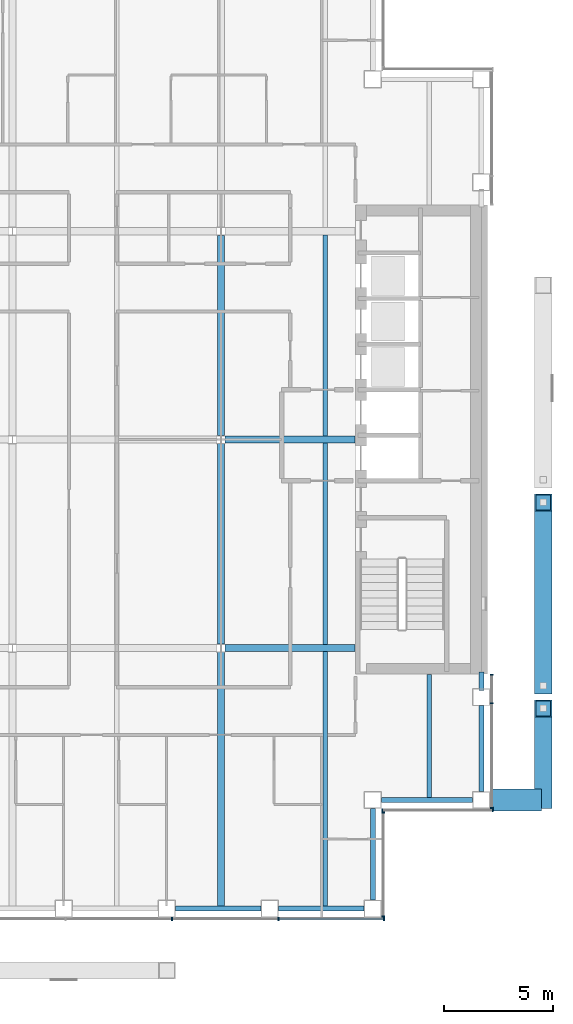
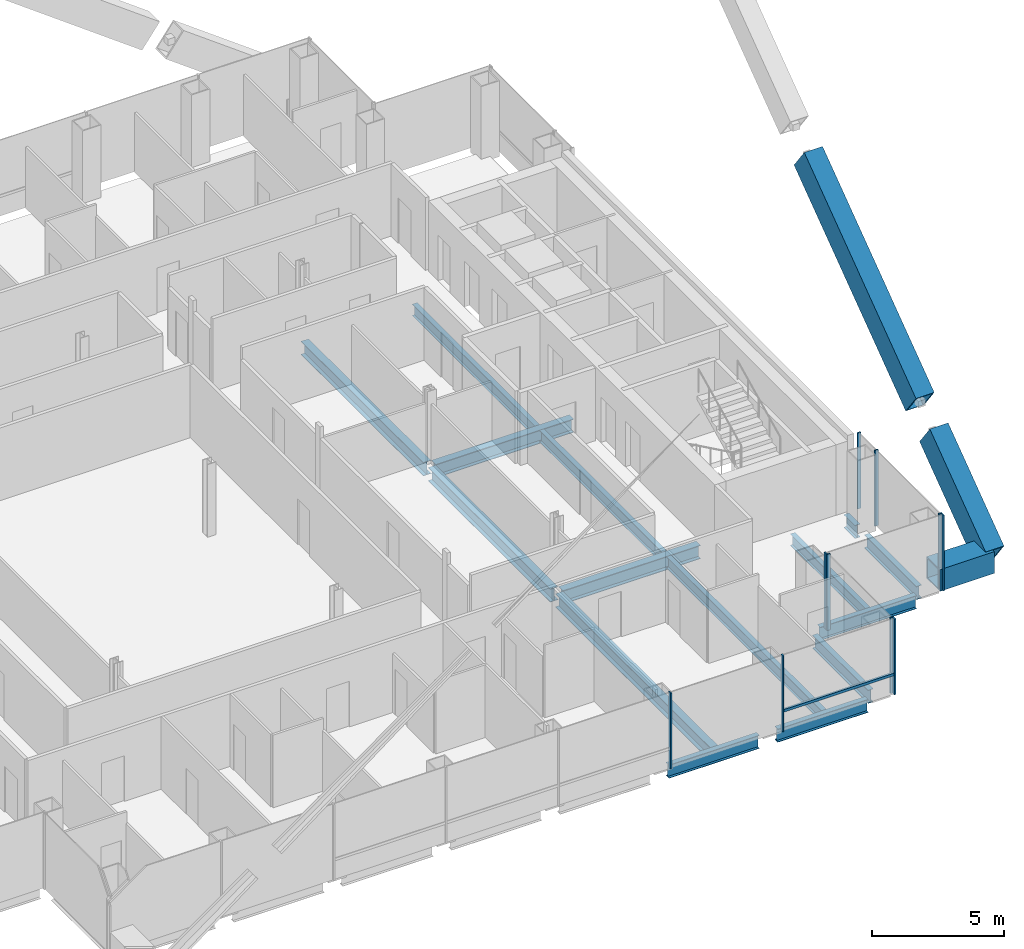
# One storey, part 6 of 18: 16 beams, 13 members, 4 elements without a shape of their own.
"""IFC4 building model written with IfcOpenShell, lengths in metres."""

from ifc_helpers import new_model, si_unit, direction, frame, origin, origin_2d, place, context, subcontext, project, spatial, rectangle, hollow_rectangle, i_section, extrude, material, material_profile, profile_set, type_object, element, aggregate, save


model = new_model("IFC4")

# Units and contexts
model_context = context("Model", 3, precision=1e-05, world=origin(), true_north=direction((0.0, 1.0)))
body_context = subcontext(model_context, "Body", "Model", "MODEL_VIEW")
ifc_project = project(units=[si_unit("LENGTHUNIT", "METRE"), si_unit("AREAUNIT", "SQUARE_METRE"), si_unit("VOLUMEUNIT", "CUBIC_METRE"), si_unit("PLANEANGLEUNIT", "RADIAN"), si_unit("MASSUNIT", "GRAM", prefix="KILO")], contexts=[model_context])

# Site, building, storey
site_placement = place(None, origin())
site = spatial("IfcSite", under=ifc_project, at=site_placement, CompositionType="ELEMENT")
building_placement = place(site_placement, origin())
building = spatial("IfcBuilding", under=site, at=building_placement, Name="Cobrizo Arcos Hotel Tower", CompositionType="ELEMENT")
storey_placement = place(building_placement, frame((0.0, 0.0, 158.5)))
storey = spatial("IfcBuildingStorey", under=building, at=storey_placement, Name="L40", CompositionType="ELEMENT", Elevation=158.5)

# Beam
ifc_material_1 = material(Name="Steel ASTM A572 Grade 50", Category="steel")
ifc_material_profile_1 = material_profile(ifc_material_1, hollow_rectangle(XDim=1.0, YDim=1.0, WallThickness=0.06005859375, at=origin_2d()), Name="BOX 1000X1000X60")
ifc_profile_set_1 = profile_set([ifc_material_profile_1], Name="Steel ASTM A572 Grade 50")
beam_type_1 = type_object("IfcBeamType", Name="BOX 1000X1000X60 brace connector strut", PredefinedType="BEAM", material=ifc_profile_set_1)
beam_1_placement = place(storey_placement, frame((21.989990234375, -16.60009765625, 0.5), z_axis=(1.0, 0.0, 0.0), x_axis=(0.0, 1.0, 0.0)))
element("IfcBeam", 1, at=beam_1_placement, inside=storey, type_object=beam_type_1, Name="Perimeter brace stub BS1, zone Z3, east face, offset -16.60 m, L40", PredefinedType="BEAM", context=body_context, shape_type="SweptSolid", body=[
    extrude(hollow_rectangle(XDim=1.0, YDim=1.0, WallThickness=0.06005859375, at=origin_2d()), origin(), (0.0, 0.0, 1.0), 2.380126953125),
])

# Members
ifc_material_profile_2 = material_profile(ifc_material_1, hollow_rectangle(XDim=0.800048828125, YDim=1.300048828125, WallThickness=0.06005859375, at=origin_2d()), Name="BOX 800X1300X60")
ifc_profile_set_2 = profile_set([ifc_material_profile_2], Name="Steel ASTM A572 Grade 50")
member_type_1 = type_object("IfcMemberType", Name="BOX 800X1300X60 perimeter brace", PredefinedType="BRACE", material=ifc_profile_set_2)
member_1_placement = place(storey_placement, frame((24.449951171875, -16.60009765625, 0.5), z_axis=(0.0, 0.804623858684, 0.593784848271), x_axis=(-1.0, 0.0, 0.0)))
element("IfcMember", 2, at=member_1_placement, inside=storey, type_object=member_type_1, Name="Perimeter brace PBR3, zone Z3, east face, no. 08", PredefinedType="BRACE", context=body_context, shape_type="SweptSolid", body=[
    extrude(hollow_rectangle(XDim=0.800048828125, YDim=1.300048828125, WallThickness=0.06005859375, at=origin_2d()), origin(), (0.0, 0.0, 1.0), 5.244384765625),
])
member_2_placement = place(storey_placement, frame((24.449951171875, -11.333984375, 4.385986328125), z_axis=(0.0, 0.804623858684, 0.593784848271), x_axis=(-1.0, 0.0, 0.0)))
element("IfcMember", 3, at=member_2_placement, inside=storey, type_object=member_type_1, Name="Perimeter brace PBR3, zone Z3, east face, no. 08b", PredefinedType="BRACE", context=body_context, shape_type="SweptSolid", body=[
    extrude(hollow_rectangle(XDim=0.800048828125, YDim=1.300048828125, WallThickness=0.06005859375, at=origin_2d()), origin(), (0.0, 0.0, 1.0), 10.48876953125),
])

# Curtain wall, members
ifc_material_2 = material(Name="Aluminium 6063-T6 anodised bronze", Category="aluminium")
curtain_wall_type = type_object("IfcCurtainWallType", Name="CW-A guest facade", PredefinedType="NOTDEFINED", material=ifc_material_2)
curtain_wall_1_placement = place(storey_placement, origin())
curtain_wall_1 = element("IfcCurtainWall", 4, at=curtain_wall_1_placement, inside=storey, type_object=curtain_wall_type, Name="CW-A L40 S face", PredefinedType="NOTDEFINED")
ifc_material_profile_3 = material_profile(ifc_material_2, rectangle(XDim=0.14990234375, YDim=0.06005859375, at=origin_2d()), Name="CW-A mullion 150x60")
ifc_profile_set_3 = profile_set([ifc_material_profile_3], Name="Aluminium 6063-T6 anodised bronze")
member_type_2 = type_object("IfcMemberType", Name="CW-A mullion 150x60", PredefinedType="MULLION", material=ifc_profile_set_3)
member_3_placement = place(storey_placement, frame((7.35009765625, -22.074951171875, 0.0), z_axis=(0.0, 0.0, 1.0), x_axis=(0.0, -1.0, 0.0)))
member_3 = element("IfcMember", 5, at=member_3_placement, type_object=member_type_2, Name="CW-A mullion 6", PredefinedType="MULLION", context=body_context, shape_type="SweptSolid", body=[
    extrude(rectangle(XDim=0.14990234375, YDim=0.06005859375, at=origin_2d()), origin(), (0.0, 0.0, 1.0), 3.5),
])
member_4_placement = place(storey_placement, frame((12.25, -22.074951171875, 0.0), z_axis=(0.0, 0.0, 1.0), x_axis=(0.0, -1.0, 0.0)))
member_4 = element("IfcMember", 6, at=member_4_placement, type_object=member_type_2, Name="CW-A mullion 7", PredefinedType="MULLION", context=body_context, shape_type="SweptSolid", body=[
    extrude(rectangle(XDim=0.14990234375, YDim=0.06005859375, at=origin_2d()), origin(), (0.0, 0.0, 1.0), 3.5),
])
member_5_placement = place(storey_placement, frame((17.1201171875, -22.074951171875, 0.0), z_axis=(0.0, 0.0, 1.0), x_axis=(0.0, -1.0, 0.0)))
member_5 = element("IfcMember", 7, at=member_5_placement, type_object=member_type_2, Name="CW-A mullion 8", PredefinedType="MULLION", context=body_context, shape_type="SweptSolid", body=[
    extrude(rectangle(XDim=0.14990234375, YDim=0.06005859375, at=origin_2d()), origin(), (0.0, 0.0, 1.0), 3.5),
])

curtain_wall_2_placement = place(storey_placement, origin())
curtain_wall_2 = element("IfcCurtainWall", 8, at=curtain_wall_2_placement, inside=storey, type_object=curtain_wall_type, Name="CW-A L40 E face", PredefinedType="NOTDEFINED")
member_6_placement = place(storey_placement, frame((17.074951171875, -21.969970703125, 0.0), z_axis=(0.0, 0.0, 1.0), x_axis=(1.0, 0.0, 0.0)))
member_6 = element("IfcMember", 9, at=member_6_placement, type_object=member_type_2, Name="CW-A mullion 1", PredefinedType="MULLION", context=body_context, shape_type="SweptSolid", body=[
    extrude(rectangle(XDim=0.14990234375, YDim=0.06005859375, at=origin_2d()), origin(), (0.0, 0.0, 1.0), 3.5),
])
member_7_placement = place(storey_placement, frame((17.074951171875, -17.179931640625, 0.0), z_axis=(0.0, 0.0, 1.0), x_axis=(1.0, 0.0, 0.0)))
member_7 = element("IfcMember", 10, at=member_7_placement, type_object=member_type_2, Name="CW-A mullion 2", PredefinedType="MULLION", context=body_context, shape_type="SweptSolid", body=[
    extrude(rectangle(XDim=0.14990234375, YDim=0.06005859375, at=origin_2d()), origin(), (0.0, 0.0, 1.0), 3.5),
])
aggregate(curtain_wall_2, [member_6, member_7])

curtain_wall_3_placement = place(storey_placement, origin())
curtain_wall_3 = element("IfcCurtainWall", 11, at=curtain_wall_3_placement, inside=storey, type_object=curtain_wall_type, Name="CW-A L40 S face", PredefinedType="NOTDEFINED")
member_8_placement = place(storey_placement, frame((17.030029296875, -17.074951171875, 0.0), z_axis=(0.0, 0.0, 1.0), x_axis=(0.0, -1.0, 0.0)))
member_8 = element("IfcMember", 12, at=member_8_placement, type_object=member_type_2, Name="CW-A mullion 1", PredefinedType="MULLION", context=body_context, shape_type="SweptSolid", body=[
    extrude(rectangle(XDim=0.14990234375, YDim=0.06005859375, at=origin_2d()), origin(), (0.0, 0.0, 1.0), 3.5),
])
member_9_placement = place(storey_placement, frame((22.1201171875, -17.074951171875, 0.0), z_axis=(0.0, 0.0, 1.0), x_axis=(0.0, -1.0, 0.0)))
member_9 = element("IfcMember", 13, at=member_9_placement, type_object=member_type_2, Name="CW-A mullion 2", PredefinedType="MULLION", context=body_context, shape_type="SweptSolid", body=[
    extrude(rectangle(XDim=0.14990234375, YDim=0.06005859375, at=origin_2d()), origin(), (0.0, 0.0, 1.0), 3.5),
])
aggregate(curtain_wall_3, [member_8, member_9])

curtain_wall_4_placement = place(storey_placement, origin())
curtain_wall_4 = element("IfcCurtainWall", 14, at=curtain_wall_4_placement, inside=storey, type_object=curtain_wall_type, Name="CW-A L40 E face", PredefinedType="NOTDEFINED")
member_10_placement = place(storey_placement, frame((22.074951171875, -16.969970703125, 0.0), z_axis=(0.0, 0.0, 1.0), x_axis=(1.0, 0.0, 0.0)))
member_10 = element("IfcMember", 15, at=member_10_placement, type_object=member_type_2, Name="CW-A mullion 1", PredefinedType="MULLION", context=body_context, shape_type="SweptSolid", body=[
    extrude(rectangle(XDim=0.14990234375, YDim=0.06005859375, at=origin_2d()), origin(), (0.0, 0.0, 1.0), 3.5),
])
member_11_placement = place(storey_placement, frame((22.074951171875, -12.142822265625, 0.0), z_axis=(0.0, 0.0, 1.0), x_axis=(1.0, 0.0, 0.0)))
member_11 = element("IfcMember", 16, at=member_11_placement, type_object=member_type_2, Name="CW-A mullion 2", PredefinedType="MULLION", context=body_context, shape_type="SweptSolid", body=[
    extrude(rectangle(XDim=0.14990234375, YDim=0.06005859375, at=origin_2d()), origin(), (0.0, 0.0, 1.0), 3.5),
])
member_12_placement = place(storey_placement, frame((22.074951171875, -10.830078125, 0.0), z_axis=(0.0, 0.0, 1.0), x_axis=(1.0, 0.0, 0.0)))
member_12 = element("IfcMember", 17, at=member_12_placement, type_object=member_type_2, Name="CW-A mullion 3", PredefinedType="MULLION", context=body_context, shape_type="SweptSolid", body=[
    extrude(rectangle(XDim=0.14990234375, YDim=0.06005859375, at=origin_2d()), origin(), (0.0, 0.0, 1.0), 3.5),
])
aggregate(curtain_wall_4, [member_10, member_11, member_12])

# Member
ifc_material_profile_4 = material_profile(ifc_material_2, rectangle(XDim=0.10009765625, YDim=0.1201171875, at=origin_2d()), Name="CW-A transom 120x100")
ifc_profile_set_4 = profile_set([ifc_material_profile_4], Name="Aluminium 6063-T6 anodised bronze")
member_type_3 = type_object("IfcMemberType", Name="CW-A transom 120x100", PredefinedType="USERDEFINED", material=ifc_profile_set_4)
member_13_placement = place(storey_placement, frame((12.280029296875, -22.074951171875, 0.929931640625), z_axis=(1.0, 0.0, 0.0), x_axis=(0.0, 1.0, 0.0)))
member_13 = element("IfcMember", 18, at=member_13_placement, type_object=member_type_3, Name="CW-A transom 1432", ObjectType="TRANSOM", PredefinedType="USERDEFINED", context=body_context, shape_type="SweptSolid", body=[
    extrude(rectangle(XDim=0.10009765625, YDim=0.1201171875, at=origin_2d()), origin(), (0.0, 0.0, 1.0), 4.81005859375),
])

aggregate(curtain_wall_1, [member_3, member_4, member_5, member_13])

# Beams
ifc_material_3 = material(Name="Steel ASTM A992 Grade 50", Category="steel")
ifc_material_profile_5 = material_profile(ifc_material_3, i_section(OverallWidth=0.209228515625, OverallDepth=0.533447265625, WebThickness=0.01025390625, FlangeThickness=0.015625, at=origin_2d()), Name="W21X62")
ifc_profile_set_5 = profile_set([ifc_material_profile_5], Name="Steel ASTM A992 Grade 50")
beam_type_2 = type_object("IfcBeamType", Name="W21X62 joist", PredefinedType="JOIST", material=ifc_profile_set_5)
beam_2_placement = place(storey_placement, frame((14.39990234375, -21.510009765625, -0.416748046875), z_axis=(0.0, 1.0, 0.0), x_axis=(-1.0, 0.0, 0.0)))
element("IfcBeam", 19, at=beam_2_placement, inside=storey, type_object=beam_type_2, Name="Floor joist J1, L40, no. 015", PredefinedType="JOIST", context=body_context, shape_type="SweptSolid", body=[
    extrude(i_section(OverallWidth=0.209228515625, OverallDepth=0.533447265625, WebThickness=0.01025390625, FlangeThickness=0.015625, at=origin_2d()), origin(), (0.0, 0.0, 1.0), 11.74609375),
])
for number, where, z_axis, x_axis, name in (
    (20, (14.39990234375, -9.43603515625, -0.416748046875), (0.0, 1.0, 0.0), (-1.0, 0.0, 0.0), "Floor joist J1, L40, no. 016"),
    (21, (14.39990234375, 0.163818359375, -0.416748046875), (0.0, 1.0, 0.0), (-1.0, 0.0, 0.0), "Floor joist J1, L40, no. 017"),
):
    element("IfcBeam", number, at=place(storey_placement, frame(where, z_axis=z_axis, x_axis=x_axis)), inside=storey, type_object=beam_type_2, Name=name, PredefinedType="JOIST", context=body_context, shape_type="SweptSolid", body=[
        extrude(i_section(OverallWidth=0.209228515625, OverallDepth=0.533447265625, WebThickness=0.01025390625, FlangeThickness=0.015625, at=origin_2d()), origin(), (0.0, 0.0, 1.0), 9.272216796875),
    ])
beam_3_placement = place(storey_placement, frame((19.199951171875, -16.510009765625, -0.416748046875), z_axis=(0.0, 1.0, 0.0), x_axis=(-1.0, 0.0, 0.0)))
element("IfcBeam", 22, at=beam_3_placement, inside=storey, type_object=beam_type_2, Name="Floor joist J1, L40, no. 019", PredefinedType="JOIST", context=body_context, shape_type="SweptSolid", body=[
    extrude(i_section(OverallWidth=0.209228515625, OverallDepth=0.533447265625, WebThickness=0.01025390625, FlangeThickness=0.015625, at=origin_2d()), origin(), (0.0, 0.0, 1.0), 5.699951171875),
])
ifc_material_profile_6 = material_profile(ifc_material_3, i_section(OverallWidth=0.32763671875, OverallDepth=0.622314453125, WebThickness=0.015380859375, FlangeThickness=0.0244140625, at=origin_2d()), Name="W24X131")
ifc_profile_set_6 = profile_set([ifc_material_profile_6], Name="Steel ASTM A992 Grade 50")
beam_type_3 = type_object("IfcBeamType", Name="W24X131 girder", PredefinedType="BEAM", material=ifc_profile_set_6)
for number, where, z_axis, x_axis, name in (
    (23, (9.78662109375, -9.60009765625, -0.461181640625), (1.0, 0.0, 0.0), (0.0, 1.0, 0.0), "Floor girder G1, L40, no. 004"),
    (24, (9.78662109375, 0.0, -0.461181640625), (1.0, 0.0, 0.0), (0.0, 1.0, 0.0), "Floor girder G1, L40, no. 008"),
):
    element("IfcBeam", number, at=place(storey_placement, frame(where, z_axis=z_axis, x_axis=x_axis)), inside=storey, type_object=beam_type_3, Name=name, PredefinedType="BEAM", context=body_context, shape_type="SweptSolid", body=[
        extrude(i_section(OverallWidth=0.32763671875, OverallDepth=0.622314453125, WebThickness=0.015380859375, FlangeThickness=0.0244140625, at=origin_2d()), origin(), (0.0, 0.0, 1.0), 6.00341796875),
    ])
beam_4_placement = place(storey_placement, frame((9.60009765625, -21.510009765625, -0.461181640625), z_axis=(0.0, 1.0, 0.0), x_axis=(-1.0, 0.0, 0.0)))
element("IfcBeam", 25, at=beam_4_placement, inside=storey, type_object=beam_type_3, Name="Floor girder G1, L40, no. 021", PredefinedType="BEAM", context=body_context, shape_type="SweptSolid", body=[
    extrude(i_section(OverallWidth=0.32763671875, OverallDepth=0.622314453125, WebThickness=0.015380859375, FlangeThickness=0.0244140625, at=origin_2d()), origin(), (0.0, 0.0, 1.0), 11.723388671875),
])
for number, where, z_axis, x_axis, name in (
    (26, (9.60009765625, -9.413330078125, -0.461181640625), (0.0, 1.0, 0.0), (-1.0, 0.0, 0.0), "Floor girder G1, L40, no. 022"),
    (27, (9.60009765625, 0.186767578125, -0.461181640625), (0.0, 1.0, 0.0), (-1.0, 0.0, 0.0), "Floor girder G1, L40, no. 023"),
):
    element("IfcBeam", number, at=place(storey_placement, frame(where, z_axis=z_axis, x_axis=x_axis)), inside=storey, type_object=beam_type_3, Name=name, PredefinedType="BEAM", context=body_context, shape_type="SweptSolid", body=[
        extrude(i_section(OverallWidth=0.32763671875, OverallDepth=0.622314453125, WebThickness=0.015380859375, FlangeThickness=0.0244140625, at=origin_2d()), origin(), (0.0, 0.0, 1.0), 9.2265625),
    ])
ifc_material_profile_7 = material_profile(ifc_material_3, i_section(OverallWidth=0.228271484375, OverallDepth=0.607177734375, WebThickness=0.01123046875, FlangeThickness=0.017333984375, at=origin_2d()), Name="W24X76")
ifc_profile_set_7 = profile_set([ifc_material_profile_7], Name="Steel ASTM A992 Grade 50")
beam_type_4 = type_object("IfcBeamType", Name="W24X76 spandrel", PredefinedType="SPANDREL", material=ifc_profile_set_7)
beam_5_placement = place(storey_placement, frame((7.513916015625, -21.60009765625, -0.45361328125), z_axis=(1.0, 0.0, 0.0), x_axis=(0.0, 1.0, 0.0)))
element("IfcBeam", 28, at=beam_5_placement, inside=storey, type_object=beam_type_4, Name="Spandrel beam W24X76, L40, no. 006", PredefinedType="SPANDREL", context=body_context, shape_type="SweptSolid", body=[
    extrude(i_section(OverallWidth=0.228271484375, OverallDepth=0.607177734375, WebThickness=0.01123046875, FlangeThickness=0.017333984375, at=origin_2d()), origin(), (0.0, 0.0, 1.0), 3.943115234375),
])
beam_6_placement = place(storey_placement, frame((12.257080078125, -21.60009765625, -0.45361328125), z_axis=(1.0, 0.0, 0.0), x_axis=(0.0, 1.0, 0.0)))
element("IfcBeam", 29, at=beam_6_placement, inside=storey, type_object=beam_type_4, Name="Spandrel beam W24X76, L40, no. 007", PredefinedType="SPANDREL", context=body_context, shape_type="SweptSolid", body=[
    extrude(i_section(OverallWidth=0.228271484375, OverallDepth=0.607177734375, WebThickness=0.01123046875, FlangeThickness=0.017333984375, at=origin_2d()), origin(), (0.0, 0.0, 1.0), 3.94287109375),
])
for number, where, z_axis, x_axis, name in (
    (30, (16.60009765625, -21.199951171875, -0.45361328125), (0.0, 1.0, 0.0), (-1.0, 0.0, 0.0), "Spandrel beam W24X76, L40, no. 008"),
    (31, (17.0, -16.60009765625, -0.45361328125), (1.0, 0.0, 0.0), (0.0, 1.0, 0.0), "Spandrel beam W24X76, L40, no. 009"),
):
    element("IfcBeam", number, at=place(storey_placement, frame(where, z_axis=z_axis, x_axis=x_axis)), inside=storey, type_object=beam_type_4, Name=name, PredefinedType="SPANDREL", context=body_context, shape_type="SweptSolid", body=[
        extrude(i_section(OverallWidth=0.228271484375, OverallDepth=0.607177734375, WebThickness=0.01123046875, FlangeThickness=0.017333984375, at=origin_2d()), origin(), (0.0, 0.0, 1.0), 4.199951171875),
    ])
beam_7_placement = place(storey_placement, frame((21.60009765625, -16.199951171875, -0.45361328125), z_axis=(0.0, 1.0, 0.0), x_axis=(-1.0, 0.0, 0.0)))
element("IfcBeam", 32, at=beam_7_placement, inside=storey, type_object=beam_type_4, Name="Spandrel beam W24X76, L40, no. 010", PredefinedType="SPANDREL", context=body_context, shape_type="SweptSolid", body=[
    extrude(i_section(OverallWidth=0.228271484375, OverallDepth=0.607177734375, WebThickness=0.01123046875, FlangeThickness=0.017333984375, at=origin_2d()), origin(), (0.0, 0.0, 1.0), 3.94287109375),
])
beam_8_placement = place(storey_placement, frame((21.60009765625, -11.556884765625, -0.45361328125), z_axis=(0.0, 1.0, 0.0), x_axis=(-1.0, 0.0, 0.0)))
element("IfcBeam", 33, at=beam_8_placement, inside=storey, type_object=beam_type_4, Name="Spandrel beam W24X76, L40, no. 011", PredefinedType="SPANDREL", context=body_context, shape_type="SweptSolid", body=[
    extrude(i_section(OverallWidth=0.228271484375, OverallDepth=0.607177734375, WebThickness=0.01123046875, FlangeThickness=0.017333984375, at=origin_2d()), origin(), (0.0, 0.0, 1.0), 0.846923828125),
])

save(model, "model.ifc")
